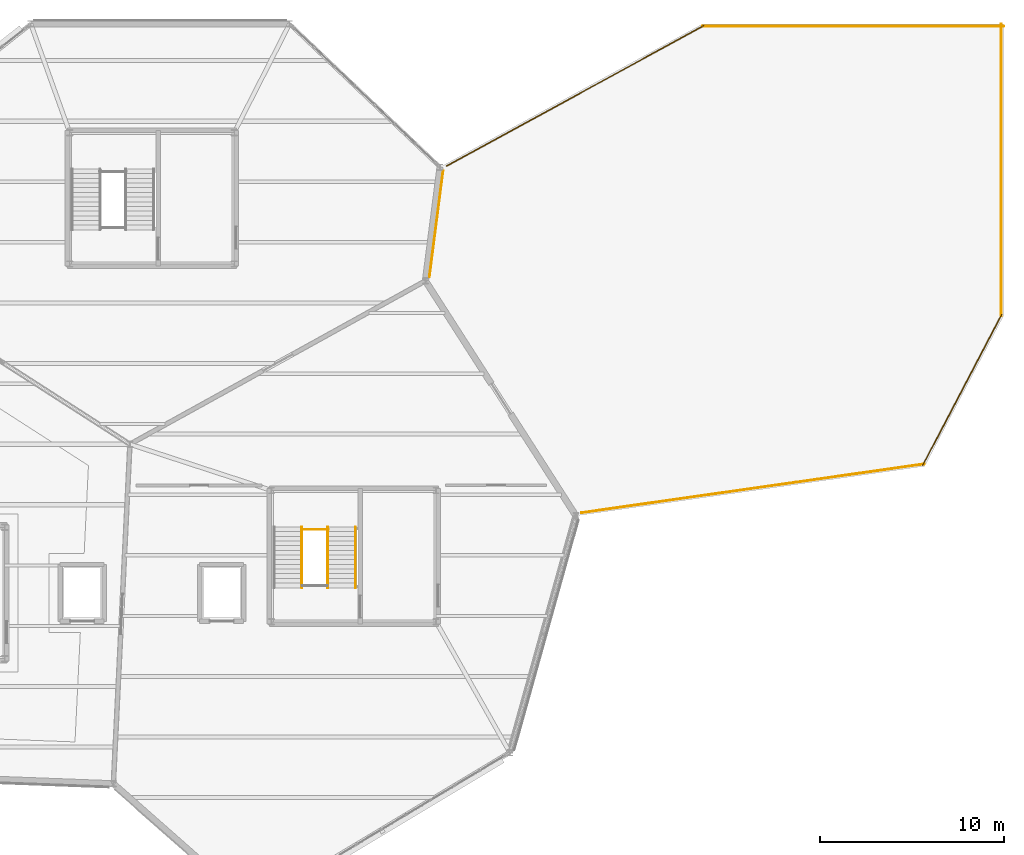
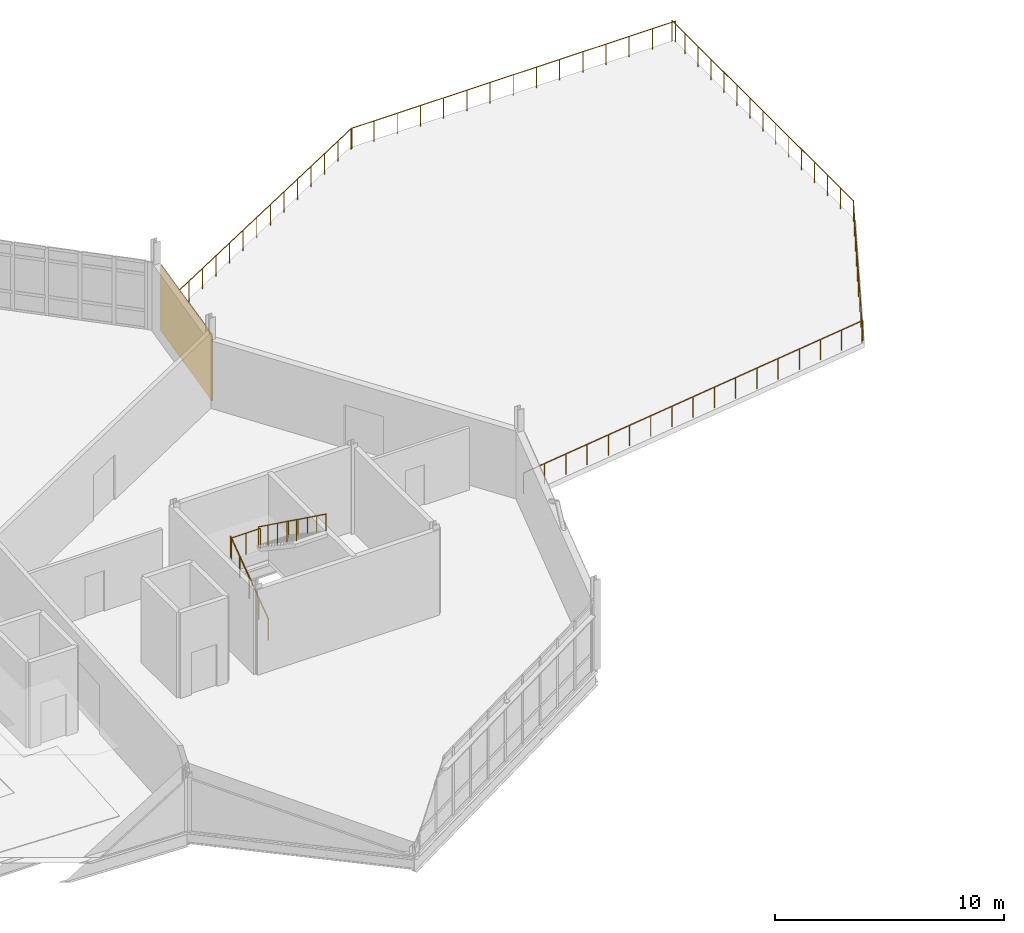
# One storey, part 76 of 76: 9 railings, 1 covering.
"""IFC4 building model written with IfcOpenShell, lengths in metres."""

from ifc_helpers import new_model, si_unit, direction, frame, frame_2d, origin, origin_2d, place, context, subcontext, project, spatial, rectangle, circle, extrude, material, layer, layer_set, type_object, element, save


model = new_model("IFC4")

# Units and contexts
model_context = context("Model", 3, precision=1e-05, world=origin(), true_north=direction((0.0, 1.0)))
body_context = subcontext(model_context, "Body", "Model", "MODEL_VIEW")
ifc_project = project(units=[si_unit("LENGTHUNIT", "METRE"), si_unit("AREAUNIT", "SQUARE_METRE"), si_unit("VOLUMEUNIT", "CUBIC_METRE"), si_unit("PLANEANGLEUNIT", "RADIAN"), si_unit("MASSUNIT", "GRAM", prefix="KILO")], contexts=[model_context])

# Site, building, storey
site_placement = place(None, origin())
site = spatial("IfcSite", under=ifc_project, at=site_placement, CompositionType="ELEMENT")
building_placement = place(site_placement, origin())
building = spatial("IfcBuilding", under=site, at=building_placement, Name="Tameran Prism Museum", CompositionType="ELEMENT")
storey_placement = place(building_placement, frame((0.0, 0.0, 15.0)))
storey = spatial("IfcBuildingStorey", under=building, at=storey_placement, Name="L03", CompositionType="ELEMENT", Elevation=15.0)

# Covering
ifc_material_1 = material(Name="White Fluted Mineral Precast GRC", Category="concrete")
ifc_layer_1 = layer(ifc_material_1, 0.044921875)
ifc_layer_set_1 = layer_set([ifc_layer_1])
covering_type = type_object("IfcCoveringType", Name="CV-FLUTE-WHT", PredefinedType="CLADDING", material=ifc_layer_set_1)
covering_placement = place(storey_placement, frame((135.864990234375, 103.9970703125, 0.050048828125), z_axis=(0.0, 0.0, 1.0), x_axis=(-0.127928833278, -0.991783350141, 0.0)))
element("IfcCovering", 1, at=covering_placement, inside=storey, type_object=covering_type, Name="Vertical Fluted White Precast Panel CL-0052", PredefinedType="CLADDING", context=body_context, shape_type="SweptSolid", body=[
    extrude(rectangle(XDim=5.83203125, YDim=0.044921875, at=frame_2d((2.916015625, 0.0))), origin(), (0.0, 0.0, 1.0), 3.52001953125),
])

# Railings
ifc_material_2 = material(Name="Marine Stainless Steel 316", Category="steel")
ifc_layer_2 = layer(ifc_material_2, 0.054931640625)
ifc_layer_set_2 = layer_set([ifc_layer_2])
railing_type_1 = type_object("IfcRailingType", Name="RL-GR-1120", PredefinedType="GUARDRAIL", material=ifc_layer_set_2)
railing_1_placement = place(storey_placement, frame((128.169921875, 81.280029296875, 0.0)))
element("IfcRailing", 2, at=railing_1_placement, inside=storey, type_object=railing_type_1, Name="Stair Well Guardrail GR-S045", PredefinedType="GUARDRAIL", context=body_context, shape_type="SweptSolid", body=[
    extrude(circle(Radius=0.02392578125, at=origin_2d()), frame((0.0, 0.0, 1.1259765625), z_axis=(0.0, 0.810008566192, 0.586418044312), x_axis=(-1.0, 0.0, 0.0)), (0.0, 0.0, 1.0), 4.092529296875),
    extrude(circle(Radius=0.02099609375, at=origin_2d()), origin(), (0.0, 0.0, 1.0), 1.101806640625),
    extrude(circle(Radius=0.02099609375, at=origin_2d()), frame((0.0, 0.82861328125, 0.60009765625)), (0.0, 0.0, 1.0), 1.101806640625),
    extrude(circle(Radius=0.02099609375, at=origin_2d()), frame((0.0, 1.657470703125, 1.199951171875)), (0.0, 0.0, 1.0), 1.101806640625),
    extrude(circle(Radius=0.02099609375, at=origin_2d()), frame((0.0, 2.486328125, 1.7998046875)), (0.0, 0.0, 1.0), 1.101806640625),
    extrude(circle(Radius=0.02099609375, at=origin_2d()), frame((0.0, 3.31494140625, 2.39990234375)), (0.0, 0.0, 1.0), 1.101806640625),
])
railing_2_placement = place(storey_placement, frame((129.580078125, 84.594970703125, 2.39990234375)))
element("IfcRailing", 3, at=railing_2_placement, inside=storey, type_object=railing_type_1, Name="Stair Well Guardrail GR-S046", PredefinedType="GUARDRAIL", context=body_context, shape_type="SweptSolid", body=[
    extrude(circle(Radius=0.02392578125, at=origin_2d()), frame((0.0, 0.0, 1.1259765625), z_axis=(0.0, -0.809980229442, 0.586457183359), x_axis=(1.0, 0.0, 0.0)), (0.0, 0.0, 1.0), 4.092529296875),
    extrude(circle(Radius=0.02099609375, at=origin_2d()), origin(), (0.0, 0.0, 1.0), 1.101806640625),
    extrude(circle(Radius=0.02099609375, at=origin_2d()), frame((0.0, -0.82861328125, 0.60009765625)), (0.0, 0.0, 1.0), 1.101806640625),
    extrude(circle(Radius=0.02099609375, at=origin_2d()), frame((0.0, -1.657470703125, 1.2001953125)), (0.0, 0.0, 1.0), 1.101806640625),
    extrude(circle(Radius=0.02099609375, at=origin_2d()), frame((0.0, -2.486328125, 1.800048828125)), (0.0, 0.0, 1.0), 1.101806640625),
    extrude(circle(Radius=0.02099609375, at=origin_2d()), frame((0.0, -3.31494140625, 2.400146484375)), (0.0, 0.0, 1.0), 1.101806640625),
])
railing_3_placement = place(storey_placement, frame((128.14990234375, 84.455078125, 2.39990234375)))
element("IfcRailing", 4, at=railing_3_placement, inside=storey, type_object=railing_type_1, Name="Landing Well Guardrail GR-S047", PredefinedType="GUARDRAIL", context=body_context, shape_type="SweptSolid", body=[
    extrude(circle(Radius=0.02392578125, at=origin_2d()), frame((0.0, 0.0, 1.1259765625), z_axis=(1.0, 0.0, 0.0), x_axis=(0.0, 1.0, 0.0)), (0.0, 0.0, 1.0), 1.4501953125),
    extrude(circle(Radius=0.02099609375, at=origin_2d()), origin(), (0.0, 0.0, 1.0), 1.101806640625),
    extrude(circle(Radius=0.02099609375, at=origin_2d()), frame((0.72509765625, 0.0, 0.0)), (0.0, 0.0, 1.0), 1.101806640625),
    extrude(circle(Radius=0.02099609375, at=origin_2d()), frame((1.4501953125, 0.0, 0.0)), (0.0, 0.0, 1.0), 1.101806640625),
])
ifc_material_3 = material(Name="Brushed Stainless Steel 316", Category="steel")
ifc_layer_3 = layer(ifc_material_3, 0.048095703125)
ifc_layer_set_3 = layer_set([ifc_layer_3])
railing_type_2 = type_object("IfcRailingType", Name="RL-HR-920", PredefinedType="HANDRAIL", material=ifc_layer_set_3)
railing_4_placement = place(storey_placement, frame((131.090087890625, 84.594970703125, 2.39990234375)))
element("IfcRailing", 5, at=railing_4_placement, inside=storey, type_object=railing_type_2, Name="Stair Flight Handrail HR-024", PredefinedType="HANDRAIL", context=body_context, shape_type="SweptSolid", body=[
    extrude(circle(Radius=0.02392578125, at=origin_2d()), frame((0.0, 0.0, 0.89599609375), z_axis=(0.0, -0.809980229442, 0.586457183359), x_axis=(1.0, 0.0, 0.0)), (0.0, 0.0, 1.0), 4.092529296875),
    extrude(circle(Radius=0.02099609375, at=origin_2d()), origin(), (0.0, 0.0, 1.0), 0.871826171875),
    extrude(circle(Radius=0.02099609375, at=origin_2d()), frame((0.0, -0.82861328125, 0.60009765625)), (0.0, 0.0, 1.0), 0.871826171875),
    extrude(circle(Radius=0.02099609375, at=origin_2d()), frame((0.0, -1.657470703125, 1.2001953125)), (0.0, 0.0, 1.0), 0.871826171875),
    extrude(circle(Radius=0.02099609375, at=origin_2d()), frame((0.0, -2.486328125, 1.800048828125)), (0.0, 0.0, 1.0), 0.871826171875),
    extrude(circle(Radius=0.02099609375, at=origin_2d()), frame((0.0, -3.31494140625, 2.400146484375)), (0.0, 0.0, 1.0), 0.871826171875),
])
ifc_material_4 = material(Name="Marine Stainless Steel 316", Category="steel")
ifc_layer_4 = layer(ifc_material_4, 0.06005859375)
ifc_layer_set_4 = layer_set([ifc_layer_4])
railing_type_3 = type_object("IfcRailingType", Name="RL-TER-1120", PredefinedType="GUARDRAIL", material=ifc_layer_set_4)
railing_5_placement = place(storey_placement, frame((143.407958984375, 85.364990234375, 0.0)))
element("IfcRailing", 6, at=railing_5_placement, inside=storey, type_object=railing_type_3, Name="Terrace Guardrail GR-T001", PredefinedType="GUARDRAIL", context=body_context, shape_type="SweptSolid", body=[
    extrude(circle(Radius=0.02392578125, at=origin_2d()), frame((0.0, 0.0, 1.09619140625), z_axis=(0.990051742454, 0.140703757105, 0.0), x_axis=(-0.140703757105, 0.990051742454, 0.0)), (0.0, 0.0, 1.0), 18.86279296875),
    extrude(circle(Radius=0.02099609375, at=origin_2d()), origin(), (0.0, 0.0, 1.0), 1.072021484375),
    extrude(circle(Radius=0.02099609375, at=origin_2d()), frame((1.167236328125, 0.165771484375, 0.0)), (0.0, 0.0, 1.0), 1.072021484375),
    extrude(circle(Radius=0.02099609375, at=origin_2d()), frame((2.33447265625, 0.331787109375, 0.0)), (0.0, 0.0, 1.0), 1.072021484375),
    extrude(circle(Radius=0.02099609375, at=origin_2d()), frame((3.50146484375, 0.49755859375, 0.0)), (0.0, 0.0, 1.0), 1.072021484375),
    extrude(circle(Radius=0.02099609375, at=origin_2d()), frame((4.668701171875, 0.66357421875, 0.0)), (0.0, 0.0, 1.0), 1.072021484375),
    extrude(circle(Radius=0.02099609375, at=origin_2d()), frame((5.8359375, 0.829345703125, 0.0)), (0.0, 0.0, 1.0), 1.072021484375),
    extrude(circle(Radius=0.02099609375, at=origin_2d()), frame((7.003173828125, 0.995361328125, 0.0)), (0.0, 0.0, 1.0), 1.072021484375),
    extrude(circle(Radius=0.02099609375, at=origin_2d()), frame((8.17041015625, 1.1611328125, 0.0)), (0.0, 0.0, 1.0), 1.072021484375),
    extrude(circle(Radius=0.02099609375, at=origin_2d()), frame((9.33740234375, 1.3271484375, 0.0)), (0.0, 0.0, 1.0), 1.072021484375),
    extrude(circle(Radius=0.02099609375, at=origin_2d()), frame((10.504638671875, 1.492919921875, 0.0)), (0.0, 0.0, 1.0), 1.072021484375),
    extrude(circle(Radius=0.02099609375, at=origin_2d()), frame((11.671875, 1.65869140625, 0.0)), (0.0, 0.0, 1.0), 1.072021484375),
    extrude(circle(Radius=0.02099609375, at=origin_2d()), frame((12.839111328125, 1.82470703125, 0.0)), (0.0, 0.0, 1.0), 1.072021484375),
    extrude(circle(Radius=0.02099609375, at=origin_2d()), frame((14.00634765625, 1.990478515625, 0.0)), (0.0, 0.0, 1.0), 1.072021484375),
    extrude(circle(Radius=0.02099609375, at=origin_2d()), frame((15.173583984375, 2.156494140625, 0.0)), (0.0, 0.0, 1.0), 1.072021484375),
    extrude(circle(Radius=0.02099609375, at=origin_2d()), frame((16.340576171875, 2.322265625, 0.0)), (0.0, 0.0, 1.0), 1.072021484375),
    extrude(circle(Radius=0.02099609375, at=origin_2d()), frame((17.5078125, 2.48828125, 0.0)), (0.0, 0.0, 1.0), 1.072021484375),
    extrude(circle(Radius=0.02099609375, at=origin_2d()), frame((18.675048828125, 2.654052734375, 0.0)), (0.0, 0.0, 1.0), 1.072021484375),
])
railing_6_placement = place(storey_placement, frame((161.993896484375, 87.9560546875, 0.0)))
element("IfcRailing", 7, at=railing_6_placement, inside=storey, type_object=railing_type_3, Name="Terrace Guardrail GR-T002", PredefinedType="GUARDRAIL", context=body_context, shape_type="SweptSolid", body=[
    extrude(circle(Radius=0.02392578125, at=origin_2d()), frame((0.0, 0.0, 1.09619140625), z_axis=(0.464416819514, 0.885616744282, 0.0), x_axis=(-0.885616744282, 0.464416819514, 0.0)), (0.0, 0.0, 1.0), 9.259033203125),
    extrude(circle(Radius=0.02099609375, at=origin_2d()), origin(), (0.0, 0.0, 1.0), 1.072021484375),
    extrude(circle(Radius=0.02099609375, at=origin_2d()), frame((0.53759765625, 1.02490234375, 0.0)), (0.0, 0.0, 1.0), 1.072021484375),
    extrude(circle(Radius=0.02099609375, at=origin_2d()), frame((1.074951171875, 2.050048828125, 0.0)), (0.0, 0.0, 1.0), 1.072021484375),
    extrude(circle(Radius=0.02099609375, at=origin_2d()), frame((1.612548828125, 3.074951171875, 0.0)), (0.0, 0.0, 1.0), 1.072021484375),
    extrude(circle(Radius=0.02099609375, at=origin_2d()), frame((2.14990234375, 4.10009765625, 0.0)), (0.0, 0.0, 1.0), 1.072021484375),
    extrude(circle(Radius=0.02099609375, at=origin_2d()), frame((2.6875, 5.125, 0.0)), (0.0, 0.0, 1.0), 1.072021484375),
    extrude(circle(Radius=0.02099609375, at=origin_2d()), frame((3.22509765625, 6.14990234375, 0.0)), (0.0, 0.0, 1.0), 1.072021484375),
    extrude(circle(Radius=0.02099609375, at=origin_2d()), frame((3.762451171875, 7.175048828125, 0.0)), (0.0, 0.0, 1.0), 1.072021484375),
    extrude(circle(Radius=0.02099609375, at=origin_2d()), frame((4.300048828125, 8.199951171875, 0.0)), (0.0, 0.0, 1.0), 1.072021484375),
])
railing_7_placement = place(storey_placement, frame((166.280029296875, 96.10009765625, 0.0)))
element("IfcRailing", 8, at=railing_7_placement, inside=storey, type_object=railing_type_3, Name="Terrace Guardrail GR-T003", PredefinedType="GUARDRAIL", context=body_context, shape_type="SweptSolid", body=[
    extrude(circle(Radius=0.02392578125, at=origin_2d()), frame((0.0, 0.0, 1.09619140625), z_axis=(0.0, 1.0, 0.0), x_axis=(-1.0, 0.0, 0.0)), (0.0, 0.0, 1.0), 15.89990234375),
    extrude(circle(Radius=0.02099609375, at=origin_2d()), origin(), (0.0, 0.0, 1.0), 1.072021484375),
    extrude(circle(Radius=0.02099609375, at=origin_2d()), frame((0.0, 1.1357421875, 0.0)), (0.0, 0.0, 1.0), 1.072021484375),
    extrude(circle(Radius=0.02099609375, at=origin_2d()), frame((0.0, 2.271484375, 0.0)), (0.0, 0.0, 1.0), 1.072021484375),
    extrude(circle(Radius=0.02099609375, at=origin_2d()), frame((0.0, 3.4072265625, 0.0)), (0.0, 0.0, 1.0), 1.072021484375),
    extrude(circle(Radius=0.02099609375, at=origin_2d()), frame((0.0, 4.542724609375, 0.0)), (0.0, 0.0, 1.0), 1.072021484375),
    extrude(circle(Radius=0.02099609375, at=origin_2d()), frame((0.0, 5.678466796875, 0.0)), (0.0, 0.0, 1.0), 1.072021484375),
    extrude(circle(Radius=0.02099609375, at=origin_2d()), frame((0.0, 6.814208984375, 0.0)), (0.0, 0.0, 1.0), 1.072021484375),
    extrude(circle(Radius=0.02099609375, at=origin_2d()), frame((0.0, 7.949951171875, 0.0)), (0.0, 0.0, 1.0), 1.072021484375),
    extrude(circle(Radius=0.02099609375, at=origin_2d()), frame((0.0, 9.085693359375, 0.0)), (0.0, 0.0, 1.0), 1.072021484375),
    extrude(circle(Radius=0.02099609375, at=origin_2d()), frame((0.0, 10.221435546875, 0.0)), (0.0, 0.0, 1.0), 1.072021484375),
    extrude(circle(Radius=0.02099609375, at=origin_2d()), frame((0.0, 11.357177734375, 0.0)), (0.0, 0.0, 1.0), 1.072021484375),
    extrude(circle(Radius=0.02099609375, at=origin_2d()), frame((0.0, 12.49267578125, 0.0)), (0.0, 0.0, 1.0), 1.072021484375),
    extrude(circle(Radius=0.02099609375, at=origin_2d()), frame((0.0, 13.62841796875, 0.0)), (0.0, 0.0, 1.0), 1.072021484375),
    extrude(circle(Radius=0.02099609375, at=origin_2d()), frame((0.0, 14.76416015625, 0.0)), (0.0, 0.0, 1.0), 1.072021484375),
    extrude(circle(Radius=0.02099609375, at=origin_2d()), frame((0.0, 15.89990234375, 0.0)), (0.0, 0.0, 1.0), 1.072021484375),
])
railing_8_placement = place(storey_placement, frame((166.39990234375, 111.8798828125, 0.0)))
element("IfcRailing", 9, at=railing_8_placement, inside=storey, type_object=railing_type_3, Name="Terrace Guardrail GR-T004", PredefinedType="GUARDRAIL", context=body_context, shape_type="SweptSolid", body=[
    extrude(circle(Radius=0.02392578125, at=origin_2d()), frame((0.0, 0.0, 1.09619140625), z_axis=(-1.0, 0.0, 0.0), x_axis=(0.0, -1.0, 0.0)), (0.0, 0.0, 1.0), 16.39990234375),
    extrude(circle(Radius=0.02099609375, at=origin_2d()), origin(), (0.0, 0.0, 1.0), 1.072021484375),
    extrude(circle(Radius=0.02099609375, at=origin_2d()), frame((-1.17138671875, 0.0, 0.0)), (0.0, 0.0, 1.0), 1.072021484375),
    extrude(circle(Radius=0.02099609375, at=origin_2d()), frame((-2.3427734375, 0.0, 0.0)), (0.0, 0.0, 1.0), 1.072021484375),
    extrude(circle(Radius=0.02099609375, at=origin_2d()), frame((-3.51416015625, 0.0, 0.0)), (0.0, 0.0, 1.0), 1.072021484375),
    extrude(circle(Radius=0.02099609375, at=origin_2d()), frame((-4.685791015625, 0.0, 0.0)), (0.0, 0.0, 1.0), 1.072021484375),
    extrude(circle(Radius=0.02099609375, at=origin_2d()), frame((-5.857177734375, 0.0, 0.0)), (0.0, 0.0, 1.0), 1.072021484375),
    extrude(circle(Radius=0.02099609375, at=origin_2d()), frame((-7.028564453125, 0.0, 0.0)), (0.0, 0.0, 1.0), 1.072021484375),
    extrude(circle(Radius=0.02099609375, at=origin_2d()), frame((-8.199951171875, 0.0, 0.0)), (0.0, 0.0, 1.0), 1.072021484375),
    extrude(circle(Radius=0.02099609375, at=origin_2d()), frame((-9.371337890625, 0.0, 0.0)), (0.0, 0.0, 1.0), 1.072021484375),
    extrude(circle(Radius=0.02099609375, at=origin_2d()), frame((-10.542724609375, 0.0, 0.0)), (0.0, 0.0, 1.0), 1.072021484375),
    extrude(circle(Radius=0.02099609375, at=origin_2d()), frame((-11.714111328125, 0.0, 0.0)), (0.0, 0.0, 1.0), 1.072021484375),
    extrude(circle(Radius=0.02099609375, at=origin_2d()), frame((-12.8857421875, 0.0, 0.0)), (0.0, 0.0, 1.0), 1.072021484375),
    extrude(circle(Radius=0.02099609375, at=origin_2d()), frame((-14.05712890625, 0.0, 0.0)), (0.0, 0.0, 1.0), 1.072021484375),
    extrude(circle(Radius=0.02099609375, at=origin_2d()), frame((-15.228515625, 0.0, 0.0)), (0.0, 0.0, 1.0), 1.072021484375),
    extrude(circle(Radius=0.02099609375, at=origin_2d()), frame((-16.39990234375, 0.0, 0.0)), (0.0, 0.0, 1.0), 1.072021484375),
])
railing_9_placement = place(storey_placement, frame((150.056884765625, 111.89501953125, 0.0)))
element("IfcRailing", 10, at=railing_9_placement, inside=storey, type_object=railing_type_3, Name="Terrace Guardrail GR-T005", PredefinedType="GUARDRAIL", context=body_context, shape_type="SweptSolid", body=[
    extrude(circle(Radius=0.02392578125, at=origin_2d()), frame((0.0, 0.0, 1.09619140625), z_axis=(-0.877902588189, -0.478839269119, 0.0), x_axis=(0.478839269119, -0.877902588189, 0.0)), (0.0, 0.0, 1.0), 15.959716796875),
    extrude(circle(Radius=0.02099609375, at=origin_2d()), origin(), (0.0, 0.0, 1.0), 1.072021484375),
    extrude(circle(Radius=0.02099609375, at=origin_2d()), frame((-1.000732421875, -0.5458984375, 0.0)), (0.0, 0.0, 1.0), 1.072021484375),
    extrude(circle(Radius=0.02099609375, at=origin_2d()), frame((-2.00146484375, -1.091796875, 0.0)), (0.0, 0.0, 1.0), 1.072021484375),
    extrude(circle(Radius=0.02099609375, at=origin_2d()), frame((-3.00244140625, -1.6376953125, 0.0)), (0.0, 0.0, 1.0), 1.072021484375),
    extrude(circle(Radius=0.02099609375, at=origin_2d()), frame((-4.003173828125, -2.183349609375, 0.0)), (0.0, 0.0, 1.0), 1.072021484375),
    extrude(circle(Radius=0.02099609375, at=origin_2d()), frame((-5.00390625, -2.729248046875, 0.0)), (0.0, 0.0, 1.0), 1.072021484375),
    extrude(circle(Radius=0.02099609375, at=origin_2d()), frame((-6.004638671875, -3.275146484375, 0.0)), (0.0, 0.0, 1.0), 1.072021484375),
    extrude(circle(Radius=0.02099609375, at=origin_2d()), frame((-7.00537109375, -3.821044921875, 0.0)), (0.0, 0.0, 1.0), 1.072021484375),
    extrude(circle(Radius=0.02099609375, at=origin_2d()), frame((-8.00634765625, -4.366943359375, 0.0)), (0.0, 0.0, 1.0), 1.072021484375),
    extrude(circle(Radius=0.02099609375, at=origin_2d()), frame((-9.007080078125, -4.912841796875, 0.0)), (0.0, 0.0, 1.0), 1.072021484375),
    extrude(circle(Radius=0.02099609375, at=origin_2d()), frame((-10.0078125, -5.458740234375, 0.0)), (0.0, 0.0, 1.0), 1.072021484375),
    extrude(circle(Radius=0.02099609375, at=origin_2d()), frame((-11.008544921875, -6.00439453125, 0.0)), (0.0, 0.0, 1.0), 1.072021484375),
    extrude(circle(Radius=0.02099609375, at=origin_2d()), frame((-12.009521484375, -6.55029296875, 0.0)), (0.0, 0.0, 1.0), 1.072021484375),
    extrude(circle(Radius=0.02099609375, at=origin_2d()), frame((-13.01025390625, -7.09619140625, 0.0)), (0.0, 0.0, 1.0), 1.072021484375),
    extrude(circle(Radius=0.02099609375, at=origin_2d()), frame((-14.010986328125, -7.64208984375, 0.0)), (0.0, 0.0, 1.0), 1.072021484375),
])

save(model, "model.ifc")
